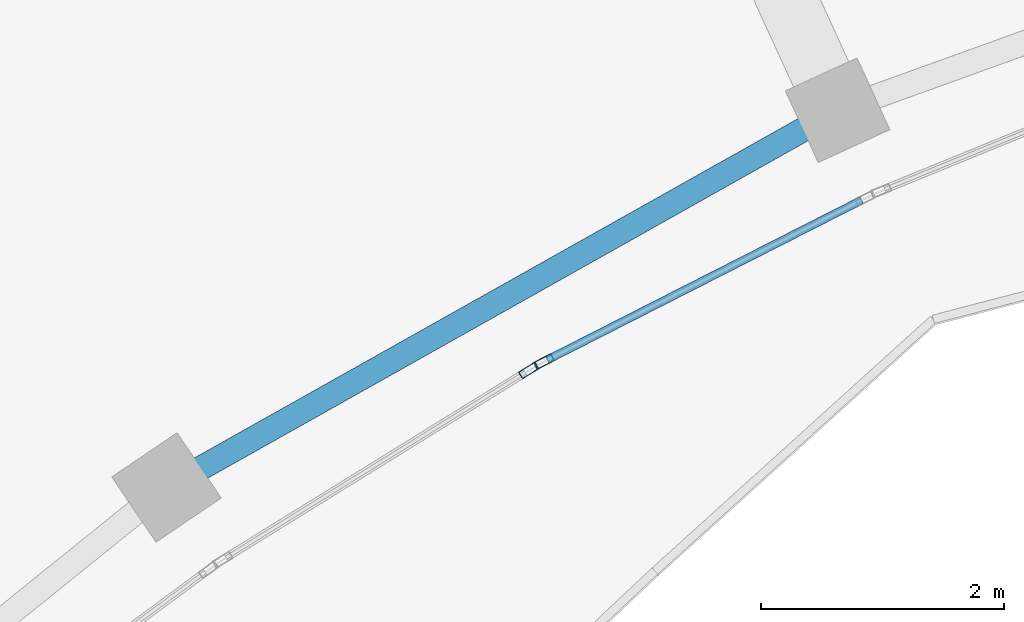
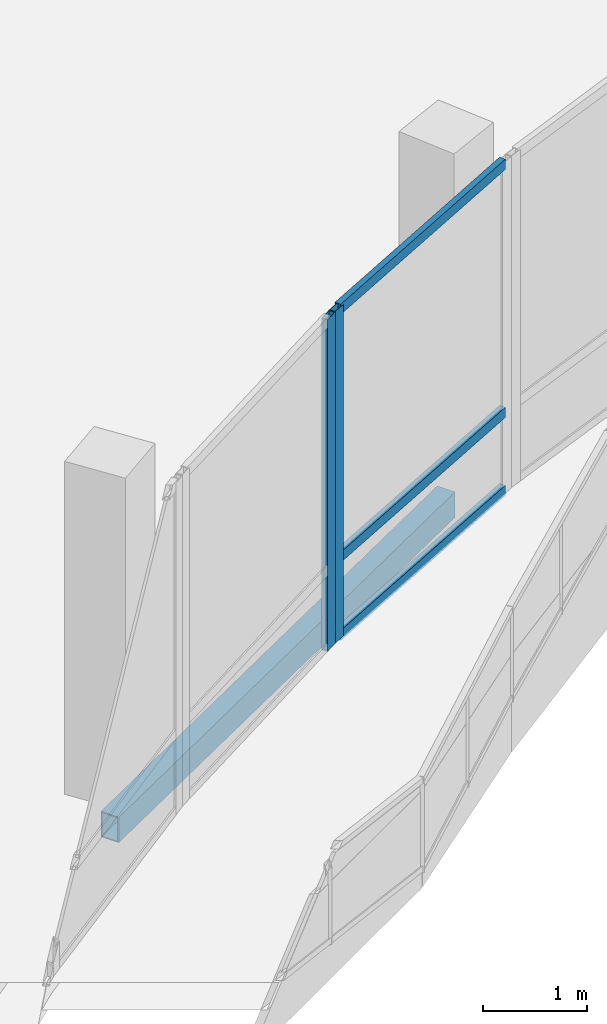
# One storey, part 65 of 184: 5 members, 1 beam, 2 elements without a shape of their own.
"""IFC4 building model written with IfcOpenShell, lengths in metres."""

from ifc_helpers import new_model, si_unit, direction, frame, origin, origin_2d, place, context, subcontext, project, spatial, hollow_rectangle, extrude, material, material_profile, profile_set, type_object, element, aggregate, save


model = new_model("IFC4")

# Units and contexts
model_context = context("Model", 3, precision=1e-05, world=origin(), true_north=direction((0.0, 1.0)))
body_context = subcontext(model_context, "Body", "Model", "MODEL_VIEW")
ifc_project = project(units=[si_unit("LENGTHUNIT", "METRE"), si_unit("AREAUNIT", "SQUARE_METRE"), si_unit("VOLUMEUNIT", "CUBIC_METRE"), si_unit("PLANEANGLEUNIT", "RADIAN"), si_unit("MASSUNIT", "GRAM", prefix="KILO")], contexts=[model_context])

# Site, building, storey
site_placement = place(None, origin())
site = spatial("IfcSite", under=ifc_project, at=site_placement, CompositionType="ELEMENT")
building_placement = place(site_placement, origin())
building = spatial("IfcBuilding", under=site, at=building_placement, Name="Selatvlak General Hospital", CompositionType="ELEMENT")
storey_placement = place(building_placement, frame((0.0, 0.0, 15.0)))
storey = spatial("IfcBuildingStorey", under=building, at=storey_placement, Name="L03", CompositionType="ELEMENT", Elevation=15.0)

# Beam
ifc_material_1 = material(Name="Steel S355", Category="steel")
ifc_material_profile_1 = material_profile(ifc_material_1, hollow_rectangle(XDim=0.199951171875, YDim=0.300048828125, WallThickness=0.011962890625, at=origin_2d()), Name="RHS 300x200x12")
ifc_profile_set_1 = profile_set([ifc_material_profile_1], Name="Steel S355")
beam_type = type_object("IfcBeamType", Name="BM-SP3", PredefinedType="SPANDREL", material=ifc_profile_set_1)
beam_placement = place(storey_placement, frame((118.552978515625, 48.172119140625, -0.489990234375), z_axis=(0.871730663488, 0.489985357266, 0.0), x_axis=(-0.489985357266, 0.871730663488, 0.0)))
element("IfcBeam", 1, at=beam_placement, inside=storey, type_object=beam_type, Name="Beam BMR-L03-1501", PredefinedType="SPANDREL", context=body_context, shape_type="SweptSolid", body=[
    extrude(hollow_rectangle(XDim=0.199951171875, YDim=0.300048828125, WallThickness=0.011962890625, at=origin_2d()), origin(), (0.0, 0.0, 1.0), 6.344970703125),
])

# Curtain wall, member
ifc_material_2 = material(Name="Solar-control Low-E double glazing", Category="glass")
curtain_wall_type_1 = type_object("IfcCurtainWallType", Name="CW-CW-02", PredefinedType="USERDEFINED", material=ifc_material_2)
curtain_wall_1_placement = place(storey_placement, origin())
curtain_wall_1 = element("IfcCurtainWall", 2, at=curtain_wall_1_placement, inside=storey, type_object=curtain_wall_type_1, Name="Glazed facade curtain wall CW-L03-0410", ObjectType="UNITISED CURTAIN WALL", PredefinedType="USERDEFINED")
ifc_material_3 = material(Name="Dark anodised aluminium mullion", Category="aluminium")
ifc_material_profile_2 = material_profile(ifc_material_3, hollow_rectangle(XDim=0.06494140625, YDim=0.159912109375, WallThickness=0.00390625, at=origin_2d()), Name="AL-MUL 65x160x4")
ifc_profile_set_2 = profile_set([ifc_material_profile_2], Name="Dark anodised aluminium mullion")
member_type_1 = type_object("IfcMemberType", Name="CWM-01", PredefinedType="MULLION", material=ifc_profile_set_2)
member_1_placement = place(storey_placement, frame((121.6640625, 49.209716796875, 0.0), z_axis=(0.0, 0.0, 1.0), x_axis=(0.453135718509, -0.89144154077, 0.0)))
member_1 = element("IfcMember", 3, at=member_1_placement, type_object=member_type_1, Name="CW-02 mullion 2", PredefinedType="MULLION", context=body_context, shape_type="SweptSolid", body=[
    extrude(hollow_rectangle(XDim=0.06494140625, YDim=0.159912109375, WallThickness=0.00390625, at=origin_2d()), origin(), (0.0, 0.0, 1.0), 3.89501953125),
])

curtain_wall_type_2 = type_object("IfcCurtainWallType", Name="CW-CW-01", PredefinedType="USERDEFINED", material=ifc_material_2)
curtain_wall_2_placement = place(storey_placement, origin())
curtain_wall_2 = element("IfcCurtainWall", 4, at=curtain_wall_2_placement, inside=storey, type_object=curtain_wall_type_2, Name="Glazed facade curtain wall CW-L03-0411", ObjectType="UNITISED CURTAIN WALL", PredefinedType="USERDEFINED")
member_2_placement = place(storey_placement, frame((121.538330078125, 49.136962890625, 0.0), z_axis=(0.0, 0.0, 1.0), x_axis=(0.526047826435, -0.850454986641, 0.0)))
member_2 = element("IfcMember", 5, at=member_2_placement, type_object=member_type_1, Name="CW-01 mullion 1", PredefinedType="MULLION", context=body_context, shape_type="SweptSolid", body=[
    extrude(hollow_rectangle(XDim=0.06494140625, YDim=0.159912109375, WallThickness=0.00390625, at=origin_2d()), origin(), (0.0, 0.0, 1.0), 3.89501953125),
])
aggregate(curtain_wall_2, [member_2])

# Member
ifc_material_profile_3 = material_profile(ifc_material_3, hollow_rectangle(XDim=0.06494140625, YDim=0.1201171875, WallThickness=0.00390625, at=origin_2d()), Name="AL-TRN 65x120x4")
ifc_profile_set_3 = profile_set([ifc_material_profile_3], Name="Dark anodised aluminium mullion")
member_type_2 = type_object("IfcMemberType", Name="CWT-01", PredefinedType="USERDEFINED", material=ifc_profile_set_3)
member_3_placement = place(storey_placement, frame((124.281982421875, 50.54052734375, 0.032470703125), z_axis=(-0.891431749589, -0.453154979918, 0.0), x_axis=(0.453154979918, -0.891431749589, 0.0)))
member_3 = element("IfcMember", 6, at=member_3_placement, type_object=member_type_2, Name="CW-02 transom 1.1", ObjectType="TRANSOM", PredefinedType="USERDEFINED", context=body_context, shape_type="SweptSolid", body=[
    extrude(hollow_rectangle(XDim=0.06494140625, YDim=0.1201171875, WallThickness=0.00390625, at=origin_2d()), origin(), (0.0, 0.0, 1.0), 2.904541015625),
])

member_4_placement = place(storey_placement, frame((124.281982421875, 50.54052734375, 0.949951171875), z_axis=(-0.891431749589, -0.453154979918, 0.0), x_axis=(0.453154979918, -0.891431749589, 0.0)))
member_4 = element("IfcMember", 7, at=member_4_placement, type_object=member_type_2, Name="CW-02 transom 1.2", ObjectType="TRANSOM", PredefinedType="USERDEFINED", context=body_context, shape_type="SweptSolid", body=[
    extrude(hollow_rectangle(XDim=0.06494140625, YDim=0.1201171875, WallThickness=0.00390625, at=origin_2d()), origin(), (0.0, 0.0, 1.0), 2.904541015625),
])

member_5_placement = place(storey_placement, frame((124.281982421875, 50.54052734375, 3.862548828125), z_axis=(-0.891431749589, -0.453154979918, 0.0), x_axis=(0.453154979918, -0.891431749589, 0.0)))
member_5 = element("IfcMember", 8, at=member_5_placement, type_object=member_type_2, Name="CW-02 transom 1.3", ObjectType="TRANSOM", PredefinedType="USERDEFINED", context=body_context, shape_type="SweptSolid", body=[
    extrude(hollow_rectangle(XDim=0.06494140625, YDim=0.1201171875, WallThickness=0.00390625, at=origin_2d()), origin(), (0.0, 0.0, 1.0), 2.904541015625),
])

aggregate(curtain_wall_1, [member_1, member_3, member_4, member_5])

save(model, "model.ifc")
